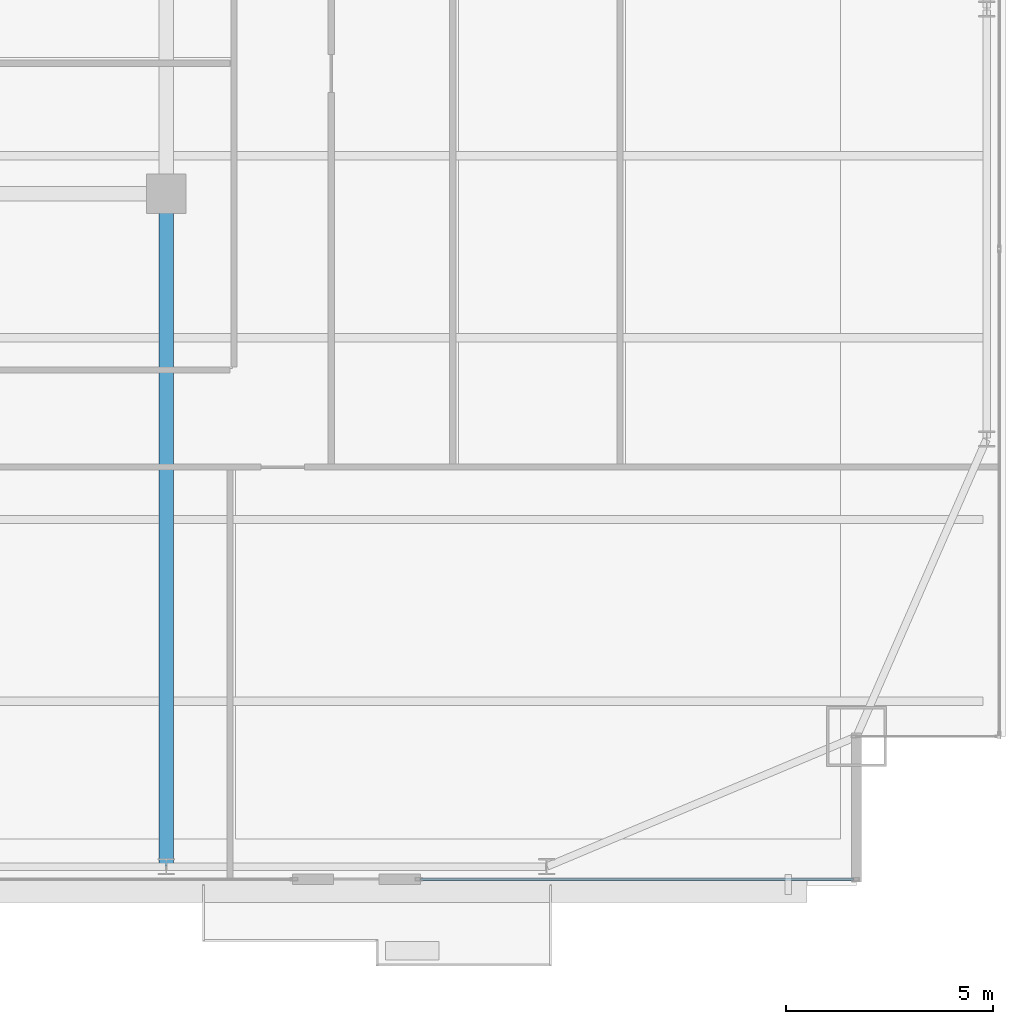
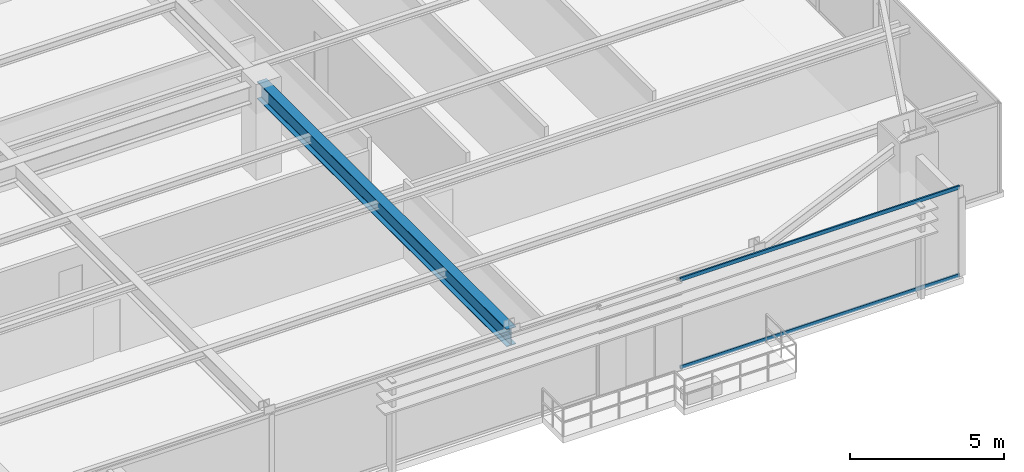
# One storey, part 13 of 32: 2 members, 1 beam, 1 element without a shape of its own.
"""IFC4 building model written with IfcOpenShell, lengths in metres."""

from ifc_helpers import new_model, si_unit, direction, frame, origin, origin_2d, place, context, subcontext, project, spatial, hollow_rectangle, i_section, extrude, source, transform, mapped, material, layer, layer_set, material_profile, profile_set, type_object, type_shapes, element, aggregate, save


model = new_model("IFC4")

# Units and contexts
model_context = context("Model", 3, precision=1e-05, world=origin(), true_north=direction((0.0, 1.0)))
body_context = subcontext(model_context, "Body", "Model", "MODEL_VIEW")
ifc_project = project(units=[si_unit("LENGTHUNIT", "METRE"), si_unit("AREAUNIT", "SQUARE_METRE"), si_unit("VOLUMEUNIT", "CUBIC_METRE"), si_unit("PLANEANGLEUNIT", "RADIAN"), si_unit("MASSUNIT", "GRAM", prefix="KILO")], contexts=[model_context])

# Site, building, storey
site_placement = place(None, origin())
site = spatial("IfcSite", under=ifc_project, at=site_placement, CompositionType="ELEMENT")
building_placement = place(site_placement, origin())
building = spatial("IfcBuilding", under=site, at=building_placement, Name="Varnel Quay Broadcast Tower", CompositionType="ELEMENT")
storey_placement = place(building_placement, frame((0.0, 0.0, 133.39990234375)))
storey = spatial("IfcBuildingStorey", under=building, at=storey_placement, Name="L32", CompositionType="ELEMENT", Elevation=133.39990234375)

# Beam
ifc_material_1 = material(Name="Structural Steel CSA G40.21 350W", Category="steel")
ifc_material_profile_1 = material_profile(ifc_material_1, i_section(OverallWidth=0.35498046875, OverallDepth=0.695068359375, WebThickness=0.015380859375, FlangeThickness=0.02490234375, FilletRadius=0.01806640625, at=origin_2d()), Name="W690X217")
ifc_profile_set_1 = profile_set([ifc_material_profile_1], Name="Structural Steel CSA G40.21 350W")
beam_type = type_object("IfcBeamType", Name="Girder_W690X217", PredefinedType="BEAM", material=ifc_profile_set_1)
shared_shape_1 = source(origin(), body_context, "Body", "SweptSolid", [
    extrude(i_section(OverallWidth=0.35498046875, OverallDepth=0.695068359375, WebThickness=0.015380859375, FlangeThickness=0.02490234375, FilletRadius=0.01806640625, at=origin_2d()), origin(), (0.0, 0.0, 1.0), 16.239990234375),
])
type_shapes(beam_type, [shared_shape_1])
beam_placement = place(storey_placement, frame((43.199951171875, 4.669921875, 3.20263671875), z_axis=(0.0, 1.0, 0.0), x_axis=(-1.0, 0.0, 0.0)))
element("IfcBeam", 1, at=beam_placement, inside=storey, type_object=beam_type, Name="L32 Primary Girder TC-S4-IC-02", PredefinedType="BEAM", context=body_context, shape_type="MappedRepresentation", body=[
    mapped(shared_shape_1, transform((0.0, 0.0, 0.0), x_axis=(1.0, 0.0, 0.0), y_axis=(0.0, 1.0, 0.0), z_axis=(0.0, 0.0, 1.0), scale=1.0)),
])

# Curtain wall, members
ifc_material_2 = material(Name="Anodised Bronze Aluminium 6063-T6", Category="aluminium")
ifc_layer = layer(ifc_material_2, 0.18994140625, Name="Anodised Bronze Aluminium 6063-T6")
ifc_layer_set = layer_set([ifc_layer], Name="Anodised Bronze Aluminium 6063-T6")
curtain_wall_type = type_object("IfcCurtainWallType", Name="CW_LowerTower", PredefinedType="NOTDEFINED", material=ifc_layer_set)
curtain_wall_placement = place(storey_placement, origin())
curtain_wall = element("IfcCurtainWall", 2, at=curtain_wall_placement, inside=storey, type_object=curtain_wall_type, Name="L32 South Unitised Curtain Wall 3", PredefinedType="NOTDEFINED")
ifc_material_profile_2 = material_profile(ifc_material_2, hollow_rectangle(XDim=0.06005859375, YDim=0.14501953125, WallThickness=0.00341796875, at=origin_2d()), Name="ALU60X145X3.5")
ifc_profile_set_2 = profile_set([ifc_material_profile_2], Name="Anodised Bronze Aluminium 6063-T6")
member_type = type_object("IfcMemberType", Name="Tran_CWS-02", PredefinedType="USERDEFINED", material=ifc_profile_set_2)
shared_shape_2 = source(origin(), body_context, "Body", "SweptSolid", [
    extrude(hollow_rectangle(XDim=0.06005859375, YDim=0.14501953125, WallThickness=0.00341796875, at=origin_2d()), origin(), (0.0, 0.0, 1.0), 10.47998046875),
])
type_shapes(member_type, [shared_shape_2])
member_1_placement = place(storey_placement, frame((49.35009765625, 4.35009765625, 0.030029296875), z_axis=(1.0, 0.0, 0.0), x_axis=(0.0, 1.0, 0.0)))
member_1 = element("IfcMember", 3, at=member_1_placement, type_object=member_type, Name="CWS-02 transom 1.1", ObjectType="TRANSOM", PredefinedType="USERDEFINED", context=body_context, shape_type="MappedRepresentation", body=[
    mapped(shared_shape_2, transform((0.0, 0.0, 0.0), x_axis=(1.0, 0.0, 0.0), y_axis=(0.0, 1.0, 0.0), z_axis=(0.0, 0.0, 1.0), scale=1.0)),
])
member_2_placement = place(storey_placement, frame((49.35009765625, 4.35009765625, 3.52001953125), z_axis=(1.0, 0.0, 0.0), x_axis=(0.0, 1.0, 0.0)))
member_2 = element("IfcMember", 4, at=member_2_placement, type_object=member_type, Name="CWS-02 transom 1.2", ObjectType="TRANSOM", PredefinedType="USERDEFINED", context=body_context, shape_type="MappedRepresentation", body=[
    mapped(shared_shape_2, transform((0.0, 0.0, 0.0), x_axis=(1.0, 0.0, 0.0), y_axis=(0.0, 1.0, 0.0), z_axis=(0.0, 0.0, 1.0), scale=1.0)),
])
aggregate(curtain_wall, [member_1, member_2])

save(model, "model.ifc")
